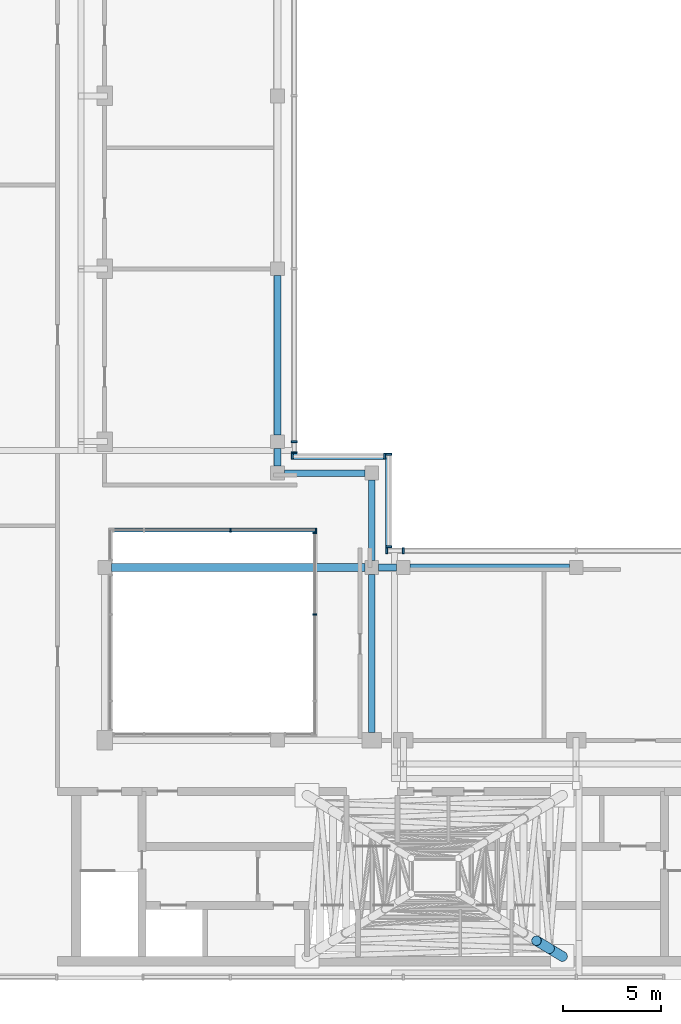
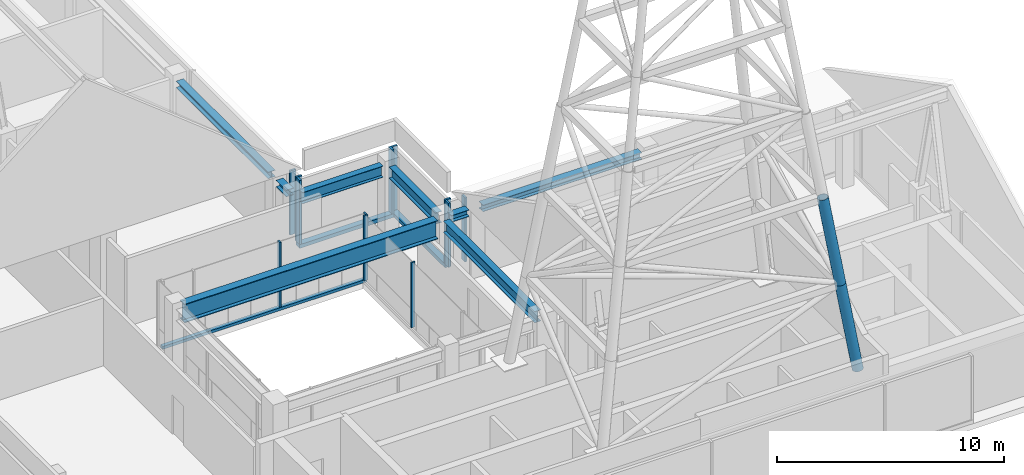
# One storey, part 6 of 13: 17 members, 8 beams, 6 elements without a shape of their own.
"""IFC4 building model written with IfcOpenShell, lengths in metres."""

from ifc_helpers import new_model, si_unit, direction, frame, origin, origin_2d, place, context, subcontext, project, spatial, rectangle, hollow_circle, i_section, extrude, source, transform, mapped, material, material_profile, profile_set, type_object, element, aggregate, save


model = new_model("IFC4")

# Units and contexts
model_context = context("Model", 3, precision=1e-05, world=origin(), true_north=direction((0.0, 1.0)))
body_context = subcontext(model_context, "Body", "Model", "MODEL_VIEW")
ifc_project = project(units=[si_unit("LENGTHUNIT", "METRE"), si_unit("AREAUNIT", "SQUARE_METRE"), si_unit("VOLUMEUNIT", "CUBIC_METRE"), si_unit("PLANEANGLEUNIT", "RADIAN"), si_unit("MASSUNIT", "GRAM", prefix="KILO")], contexts=[model_context])

# Site, building, storey
site_placement = place(None, origin())
site = spatial("IfcSite", under=ifc_project, at=site_placement, CompositionType="ELEMENT")
building_placement = place(site_placement, origin())
building = spatial("IfcBuilding", under=site, at=building_placement, Name="Kemantara Hotel Tower", CompositionType="ELEMENT")
storey_placement = place(building_placement, frame((0.0, 0.0, 330.199951171875)))
storey = spatial("IfcBuildingStorey", under=building, at=storey_placement, Name="L83", CompositionType="ELEMENT", Elevation=330.199951171875)

# Curtain wall, member
ifc_material_1 = material(Name="Clear low-iron laminated glass 36 mm", Category="glass")
curtain_wall_type_1 = type_object("IfcCurtainWallType", Name="ATRIUM GLAZING WALL", PredefinedType="USERDEFINED", material=ifc_material_1)
curtain_wall_1_placement = place(storey_placement, origin())
curtain_wall_1 = element("IfcCurtainWall", 1, at=curtain_wall_1_placement, inside=storey, type_object=curtain_wall_type_1, Name="CW5 L83 ATR-R0-1", ObjectType="ATRIUM GLAZING WALL", PredefinedType="USERDEFINED")
ifc_material_2 = material(Name="Aluminium 6063-T6 bronze anodised", Category="aluminium")
ifc_material_profile_1 = material_profile(ifc_material_2, rectangle(XDim=0.199951171875, YDim=0.14990234375, at=origin_2d()), Name="ATRIUM GLAZING WALL TRANSOM")
ifc_profile_set_1 = profile_set([ifc_material_profile_1], Name="Aluminium 6063-T6 bronze anodised")
member_type_1 = type_object("IfcMemberType", Name="ATRIUM GLAZING WALL TRANSOM", PredefinedType="USERDEFINED", material=ifc_profile_set_1)
member_1_placement = place(storey_placement, frame((12.60009765625, 22.89990234375, 0.074951171875), z_axis=(1.0, 0.0, 0.0), x_axis=(0.0, 1.0, 0.0)))
member_1 = element("IfcMember", 2, at=member_1_placement, type_object=member_type_1, Name="CW5 sill transom ATR-R0-1", ObjectType="TRANSOM", PredefinedType="USERDEFINED", context=body_context, shape_type="SweptSolid", body=[
    extrude(rectangle(XDim=0.199951171875, YDim=0.14990234375, at=origin_2d()), origin(), (0.0, 0.0, 1.0), 10.39990234375),
])

# Beams
ifc_material_3 = material(Name="Steel ASTM A992 Grade 50", Category="steel")
ifc_material_profile_2 = material_profile(ifc_material_3, i_section(OverallWidth=0.40087890625, OverallDepth=1.0, WebThickness=0.01904296875, FlangeThickness=0.0361328125, at=origin_2d()), Name="W1000X371")
ifc_profile_set_2 = profile_set([ifc_material_profile_2], Name="Steel ASTM A992 Grade 50")
beam_type_1 = type_object("IfcBeamType", Name="ATRIUM ROOF GIRDER W1000X371", PredefinedType="BEAM", material=ifc_profile_set_2)
beam_1_placement = place(storey_placement, frame((12.550048828125, 21.0, 3.150146484375), z_axis=(1.0, 0.0, 0.0), x_axis=(0.0, 1.0, 0.0)))
element("IfcBeam", 3, at=beam_1_placement, inside=storey, type_object=beam_type_1, Name="ATRIUM ROOF GIRDER 5-1", PredefinedType="BEAM", context=body_context, shape_type="SweptSolid", body=[
    extrude(i_section(OverallWidth=0.40087890625, OverallDepth=1.0, WebThickness=0.01904296875, FlangeThickness=0.0361328125, at=origin_2d()), origin(), (0.0, 0.0, 1.0), 12.89990234375),
])
ifc_material_profile_3 = material_profile(ifc_material_3, i_section(OverallWidth=0.324951171875, OverallDepth=0.612060546875, WebThickness=0.0126953125, FlangeThickness=0.01904296875, at=origin_2d()), Name="W610X155")
ifc_profile_set_3 = profile_set([ifc_material_profile_3], Name="Steel ASTM A992 Grade 50")
beam_type_2 = type_object("IfcBeamType", Name="ATRIUM ROOF GIRDER W610X155", PredefinedType="BEAM", material=ifc_profile_set_3)
beam_2_placement = place(storey_placement, frame((21.35009765625, 25.800048828125, 3.343994140625), z_axis=(1.0, 0.0, 0.0), x_axis=(0.0, 1.0, 0.0)))
element("IfcBeam", 4, at=beam_2_placement, inside=storey, type_object=beam_type_2, Name="ATRIUM ROOF GIRDER 2-1", PredefinedType="BEAM", context=body_context, shape_type="SweptSolid", body=[
    extrude(i_section(OverallWidth=0.324951171875, OverallDepth=0.612060546875, WebThickness=0.0126953125, FlangeThickness=0.01904296875, at=origin_2d()), origin(), (0.0, 0.0, 1.0), 4.099853515625),
])
beam_3_placement = place(storey_placement, frame((25.800048828125, 12.60009765625, 3.343994140625), z_axis=(0.0, 1.0, 0.0), x_axis=(-1.0, 0.0, 0.0)))
element("IfcBeam", 5, at=beam_3_placement, inside=storey, type_object=beam_type_2, Name="ATRIUM ROOF GIRDER 4-1", PredefinedType="BEAM", context=body_context, shape_type="SweptSolid", body=[
    extrude(i_section(OverallWidth=0.324951171875, OverallDepth=0.612060546875, WebThickness=0.0126953125, FlangeThickness=0.01904296875, at=origin_2d()), origin(), (0.0, 0.0, 1.0), 8.0498046875),
])
beam_4_placement = place(storey_placement, frame((25.800048828125, 21.35009765625, 3.343994140625), z_axis=(0.0, 1.0, 0.0), x_axis=(-1.0, 0.0, 0.0)))
element("IfcBeam", 6, at=beam_4_placement, inside=storey, type_object=beam_type_2, Name="ATRIUM ROOF GIRDER 4-2", PredefinedType="BEAM", context=body_context, shape_type="SweptSolid", body=[
    extrude(i_section(OverallWidth=0.324951171875, OverallDepth=0.612060546875, WebThickness=0.0126953125, FlangeThickness=0.01904296875, at=origin_2d()), origin(), (0.0, 0.0, 1.0), 4.099853515625),
])

# Curtain wall, member
curtain_wall_type_2 = type_object("IfcCurtainWallType", Name="CROWN LOUVRE SCREEN WALL", PredefinedType="USERDEFINED", material=ifc_material_2)
curtain_wall_2_placement = place(storey_placement, origin())
curtain_wall_2 = element("IfcCurtainWall", 7, at=curtain_wall_2_placement, inside=storey, type_object=curtain_wall_type_2, Name="CW7 L83 CRN-R13-1", ObjectType="CROWN LOUVRE SCREEN WALL", PredefinedType="USERDEFINED")
ifc_material_profile_4 = material_profile(ifc_material_2, rectangle(XDim=0.300048828125, YDim=0.199951171875, at=origin_2d()), Name="CROWN LOUVRE SCREEN WALL TRANSOM")
ifc_profile_set_4 = profile_set([ifc_material_profile_4], Name="Aluminium 6063-T6 bronze anodised")
member_type_2 = type_object("IfcMemberType", Name="CROWN LOUVRE SCREEN WALL TRANSOM", PredefinedType="USERDEFINED", material=ifc_profile_set_4)
member_2_placement = place(storey_placement, frame((26.64990234375, 22.0, 0.10009765625), z_axis=(0.0, 1.0, 0.0), x_axis=(-1.0, 0.0, 0.0)))
member_2 = element("IfcMember", 8, at=member_2_placement, type_object=member_type_2, Name="CW7 sill transom CRN-R13-1", ObjectType="TRANSOM", PredefinedType="USERDEFINED", context=body_context, shape_type="SweptSolid", body=[
    extrude(rectangle(XDim=0.300048828125, YDim=0.199951171875, at=origin_2d()), origin(), (0.0, 0.0, 1.0), 4.800048828125),
])

curtain_wall_3_placement = place(storey_placement, origin())
curtain_wall_3 = element("IfcCurtainWall", 9, at=curtain_wall_3_placement, inside=storey, type_object=curtain_wall_type_2, Name="CW7 L83 CRN-R14-1", ObjectType="CROWN LOUVRE SCREEN WALL", PredefinedType="USERDEFINED")
member_3_placement = place(storey_placement, frame((26.5, 26.64990234375, 0.10009765625), z_axis=(-1.0, 0.0, 0.0), x_axis=(0.0, -1.0, 0.0)))
member_3 = element("IfcMember", 10, at=member_3_placement, type_object=member_type_2, Name="CW7 sill transom CRN-R14-1", ObjectType="TRANSOM", PredefinedType="USERDEFINED", context=body_context, shape_type="SweptSolid", body=[
    extrude(rectangle(XDim=0.300048828125, YDim=0.199951171875, at=origin_2d()), origin(), (0.0, 0.0, 1.0), 4.800048828125),
])

# Members
ifc_material_4 = material(Name="Steel ASTM A500 Grade C", Category="steel")
ifc_material_profile_5 = material_profile(ifc_material_4, hollow_circle(Radius=0.25390625, WallThickness=0.0126953125, at=origin_2d()), Name="HSS508X12.7")
ifc_profile_set_5 = profile_set([ifc_material_profile_5], Name="Steel ASTM A500 Grade C")
member_type_3 = type_object("IfcMemberType", Name="MAST LEG HSS508X12.7", PredefinedType="POST", material=ifc_profile_set_5)
for number, where, z_axis, x_axis, name in (
    (11, (35.5, 1.199951171875, 4.050048828125), (-0.141896560975, 0.085692138334, 0.986165413818), (-0.516951959847, -0.856014410632, 0.0), "MAST LEG 2 PANEL 1"),
    (12, (34.83740234375, 1.60009765625, 8.655029296875), (-0.141838651886, 0.085636458455, 0.986178581097), (-0.516860372783, -0.856069713894, 0.0), "MAST LEG 2 PANEL 2"),
):
    element("IfcMember", number, at=place(storey_placement, frame(where, z_axis=z_axis, x_axis=x_axis)), inside=storey, type_object=member_type_3, Name=name, PredefinedType="POST", context=body_context, shape_type="SweptSolid", body=[
        extrude(hollow_circle(Radius=0.25390625, WallThickness=0.0126953125, at=origin_2d()), origin(), (0.0, 0.0, 1.0), 4.669677734375),
    ])

# Beams
ifc_material_profile_6 = material_profile(ifc_material_3, i_section(OverallWidth=0.367919921875, OverallDepth=0.35595703125, WebThickness=0.01123046875, FlangeThickness=0.01806640625, at=origin_2d()), Name="W360X134")
ifc_profile_set_6 = profile_set([ifc_material_profile_6], Name="Steel ASTM A992 Grade 50")
beam_type_3 = type_object("IfcBeamType", Name="ROOF RING BEAM W360X134", PredefinedType="BEAM", material=ifc_profile_set_6)
beam_5_placement = place(storey_placement, frame((21.0, 26.14990234375, 3.47216796875), z_axis=(0.0, 1.0, 0.0), x_axis=(-1.0, 0.0, 0.0)))
element("IfcBeam", 13, at=beam_5_placement, inside=storey, type_object=beam_type_3, Name="ROOF RING BEAM 7", PredefinedType="BEAM", context=body_context, shape_type="SweptSolid", body=[
    extrude(i_section(OverallWidth=0.367919921875, OverallDepth=0.35595703125, WebThickness=0.01123046875, FlangeThickness=0.01806640625, at=origin_2d()), origin(), (0.0, 0.0, 1.0), 0.900146484375),
])
beam_6_placement = place(storey_placement, frame((21.0, 27.75, 3.47216796875), z_axis=(0.0, 1.0, 0.0), x_axis=(-1.0, 0.0, 0.0)))
element("IfcBeam", 14, at=beam_6_placement, inside=storey, type_object=beam_type_3, Name="ROOF RING BEAM 8", PredefinedType="BEAM", context=body_context, shape_type="SweptSolid", body=[
    extrude(i_section(OverallWidth=0.367919921875, OverallDepth=0.35595703125, WebThickness=0.01123046875, FlangeThickness=0.01806640625, at=origin_2d()), origin(), (0.0, 0.0, 1.0), 8.10009765625),
])
beam_7_placement = place(storey_placement, frame((26.14990234375, 21.0, 3.47216796875), z_axis=(1.0, 0.0, 0.0), x_axis=(0.0, 1.0, 0.0)))
element("IfcBeam", 15, at=beam_7_placement, inside=storey, type_object=beam_type_3, Name="ROOF RING BEAM 12", PredefinedType="BEAM", context=body_context, shape_type="SweptSolid", body=[
    extrude(i_section(OverallWidth=0.367919921875, OverallDepth=0.35595703125, WebThickness=0.01123046875, FlangeThickness=0.01806640625, at=origin_2d()), origin(), (0.0, 0.0, 1.0), 0.900146484375),
])
beam_8_placement = place(storey_placement, frame((27.75, 21.0, 3.47216796875), z_axis=(1.0, 0.0, 0.0), x_axis=(0.0, 1.0, 0.0)))
element("IfcBeam", 16, at=beam_8_placement, inside=storey, type_object=beam_type_3, Name="ROOF RING BEAM 13", PredefinedType="BEAM", context=body_context, shape_type="SweptSolid", body=[
    extrude(i_section(OverallWidth=0.367919921875, OverallDepth=0.35595703125, WebThickness=0.01123046875, FlangeThickness=0.01806640625, at=origin_2d()), origin(), (0.0, 0.0, 1.0), 8.10009765625),
])

# Curtain wall, members
curtain_wall_4_placement = place(storey_placement, origin())
curtain_wall_4 = element("IfcCurtainWall", 17, at=curtain_wall_4_placement, inside=storey, type_object=curtain_wall_type_2, Name="CW7 L83 CRN-R12-1", ObjectType="CROWN LOUVRE SCREEN WALL", PredefinedType="USERDEFINED")
ifc_material_profile_7 = material_profile(ifc_material_2, rectangle(XDim=0.300048828125, YDim=0.10009765625, at=origin_2d()), Name="CROWN LOUVRE SCREEN WALL MULLION")
ifc_profile_set_7 = profile_set([ifc_material_profile_7], Name="Aluminium 6063-T6 bronze anodised")
member_type_4 = type_object("IfcMemberType", Name="CROWN LOUVRE SCREEN WALL MULLION", PredefinedType="MULLION", material=ifc_profile_set_7)
shared_shape_1 = source(origin(), body_context, "Body", "SweptSolid", [
    extrude(rectangle(XDim=0.300048828125, YDim=0.10009765625, at=origin_2d()), origin(), (0.0, 0.0, 1.0), 3.4501953125),
])
member_4_placement = place(storey_placement, frame((27.39990234375, 21.85009765625, 0.199951171875), z_axis=(0.0, 0.0, 1.0), x_axis=(0.0, -1.0, 0.0)))
member_4 = element("IfcMember", 18, at=member_4_placement, type_object=member_type_4, Name="CW7 mullion CRN-R12-1.3", PredefinedType="MULLION", context=body_context, shape_type="MappedRepresentation", body=[
    mapped(shared_shape_1, transform((0.0, 0.0, 0.0))),
])
member_5_placement = place(storey_placement, frame((26.550048828125, 21.85009765625, 0.199951171875), z_axis=(0.0, 0.0, 1.0), x_axis=(0.0, -1.0, 0.0)))
member_5 = element("IfcMember", 19, at=member_5_placement, type_object=member_type_4, Name="CW7 mullion CRN-R12-1.4", PredefinedType="MULLION", context=body_context, shape_type="MappedRepresentation", body=[
    mapped(shared_shape_1, transform((0.0, 0.0, 0.0))),
])
aggregate(curtain_wall_4, [member_4, member_5])

# Member
member_6_placement = place(storey_placement, frame((26.64990234375, 22.050048828125, 0.199951171875), z_axis=(0.0, 0.0, 1.0), x_axis=(-1.0, 0.0, 0.0)))
member_6 = element("IfcMember", 20, at=member_6_placement, type_object=member_type_4, Name="CW7 mullion CRN-R13-1.1", PredefinedType="MULLION", context=body_context, shape_type="MappedRepresentation", body=[
    mapped(shared_shape_1, transform((0.0, 0.0, 0.0))),
])

member_7_placement = place(storey_placement, frame((26.64990234375, 26.75, 0.199951171875), z_axis=(0.0, 0.0, 1.0), x_axis=(-1.0, 0.0, 0.0)))
member_7 = element("IfcMember", 21, at=member_7_placement, type_object=member_type_4, Name="CW7 mullion CRN-R13-1.2", PredefinedType="MULLION", context=body_context, shape_type="MappedRepresentation", body=[
    mapped(shared_shape_1, transform((0.0, 0.0, 0.0))),
])

aggregate(curtain_wall_2, [member_2, member_6, member_7])

member_8_placement = place(storey_placement, frame((26.449951171875, 26.64990234375, 0.199951171875), z_axis=(0.0, 0.0, 1.0), x_axis=(0.0, -1.0, 0.0)))
member_8 = element("IfcMember", 22, at=member_8_placement, type_object=member_type_4, Name="CW7 mullion CRN-R14-1.1", PredefinedType="MULLION", context=body_context, shape_type="MappedRepresentation", body=[
    mapped(shared_shape_1, transform((0.0, 0.0, 0.0))),
])

member_9_placement = place(storey_placement, frame((21.75, 26.64990234375, 0.199951171875), z_axis=(0.0, 0.0, 1.0), x_axis=(0.0, -1.0, 0.0)))
member_9 = element("IfcMember", 23, at=member_9_placement, type_object=member_type_4, Name="CW7 mullion CRN-R14-1.2", PredefinedType="MULLION", context=body_context, shape_type="MappedRepresentation", body=[
    mapped(shared_shape_1, transform((0.0, 0.0, 0.0))),
])

aggregate(curtain_wall_3, [member_3, member_8, member_9])

# Curtain wall, members
curtain_wall_5_placement = place(storey_placement, origin())
curtain_wall_5 = element("IfcCurtainWall", 24, at=curtain_wall_5_placement, inside=storey, type_object=curtain_wall_type_2, Name="CW7 L83 CRN-R15-1", ObjectType="CROWN LOUVRE SCREEN WALL", PredefinedType="USERDEFINED")
member_10_placement = place(storey_placement, frame((21.85009765625, 26.85009765625, 0.199951171875), z_axis=(0.0, 0.0, 1.0), x_axis=(-1.0, 0.0, 0.0)))
member_10 = element("IfcMember", 25, at=member_10_placement, type_object=member_type_4, Name="CW7 mullion CRN-R15-1.1", PredefinedType="MULLION", context=body_context, shape_type="MappedRepresentation", body=[
    mapped(shared_shape_1, transform((0.0, 0.0, 0.0))),
])
member_11_placement = place(storey_placement, frame((21.85009765625, 27.39990234375, 0.199951171875), z_axis=(0.0, 0.0, 1.0), x_axis=(-1.0, 0.0, 0.0)))
member_11 = element("IfcMember", 26, at=member_11_placement, type_object=member_type_4, Name="CW7 mullion CRN-R15-1.2", PredefinedType="MULLION", context=body_context, shape_type="MappedRepresentation", body=[
    mapped(shared_shape_1, transform((0.0, 0.0, 0.0))),
])
aggregate(curtain_wall_5, [member_10, member_11])

# Member
ifc_material_profile_8 = material_profile(ifc_material_2, rectangle(XDim=0.199951171875, YDim=0.074951171875, at=origin_2d()), Name="ATRIUM GLAZING WALL MULLION")
ifc_profile_set_8 = profile_set([ifc_material_profile_8], Name="Aluminium 6063-T6 bronze anodised")
member_type_5 = type_object("IfcMemberType", Name="ATRIUM GLAZING WALL MULLION", PredefinedType="MULLION", material=ifc_profile_set_8)
shared_shape_2 = source(origin(), body_context, "Body", "SweptSolid", [
    extrude(rectangle(XDim=0.199951171875, YDim=0.074951171875, at=origin_2d()), origin(), (0.0, 0.0, 1.0), 3.5),
])
member_12_placement = place(storey_placement, frame((18.60009765625, 22.89990234375, 0.150146484375), z_axis=(0.0, 0.0, 1.0), x_axis=(0.0, 1.0, 0.0)))
member_12 = element("IfcMember", 27, at=member_12_placement, type_object=member_type_5, Name="CW5 mullion ATR-R0-1.3", PredefinedType="MULLION", context=body_context, shape_type="MappedRepresentation", body=[
    mapped(shared_shape_2, transform((0.0, 0.0, 0.0))),
])

member_13_placement = place(storey_placement, frame((22.96240234375, 22.89990234375, 0.150146484375), z_axis=(0.0, 0.0, 1.0), x_axis=(0.0, 1.0, 0.0)))
member_13 = element("IfcMember", 28, at=member_13_placement, type_object=member_type_5, Name="CW5 mullion ATR-R0-1.4", PredefinedType="MULLION", context=body_context, shape_type="MappedRepresentation", body=[
    mapped(shared_shape_2, transform((0.0, 0.0, 0.0))),
])

aggregate(curtain_wall_1, [member_1, member_12, member_13])

# Curtain wall, members
curtain_wall_6_placement = place(storey_placement, origin())
curtain_wall_6 = element("IfcCurtainWall", 29, at=curtain_wall_6_placement, inside=storey, type_object=curtain_wall_type_1, Name="CW5 L83 ATR-R1-1", ObjectType="ATRIUM GLAZING WALL", PredefinedType="USERDEFINED")
member_14_placement = place(storey_placement, frame((22.89990234375, 22.762451171875, 0.150146484375), z_axis=(0.0, 0.0, 1.0), x_axis=(1.0, 0.0, 0.0)))
member_14 = element("IfcMember", 30, at=member_14_placement, type_object=member_type_5, Name="CW5 mullion ATR-R1-1.1", PredefinedType="MULLION", context=body_context, shape_type="MappedRepresentation", body=[
    mapped(shared_shape_2, transform((0.0, 0.0, 0.0))),
])
member_15_placement = place(storey_placement, frame((22.89990234375, 18.60009765625, 0.150146484375), z_axis=(0.0, 0.0, 1.0), x_axis=(1.0, 0.0, 0.0)))
member_15 = element("IfcMember", 31, at=member_15_placement, type_object=member_type_5, Name="CW5 mullion ATR-R1-1.2", PredefinedType="MULLION", context=body_context, shape_type="MappedRepresentation", body=[
    mapped(shared_shape_2, transform((0.0, 0.0, 0.0))),
])
aggregate(curtain_wall_6, [member_14, member_15])

save(model, "model.ifc")
